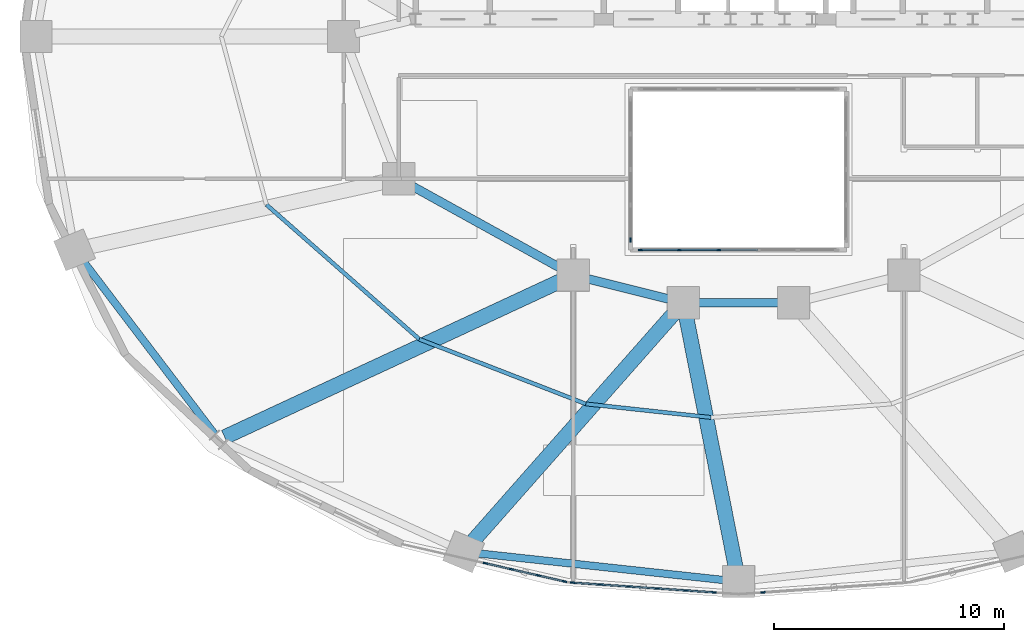
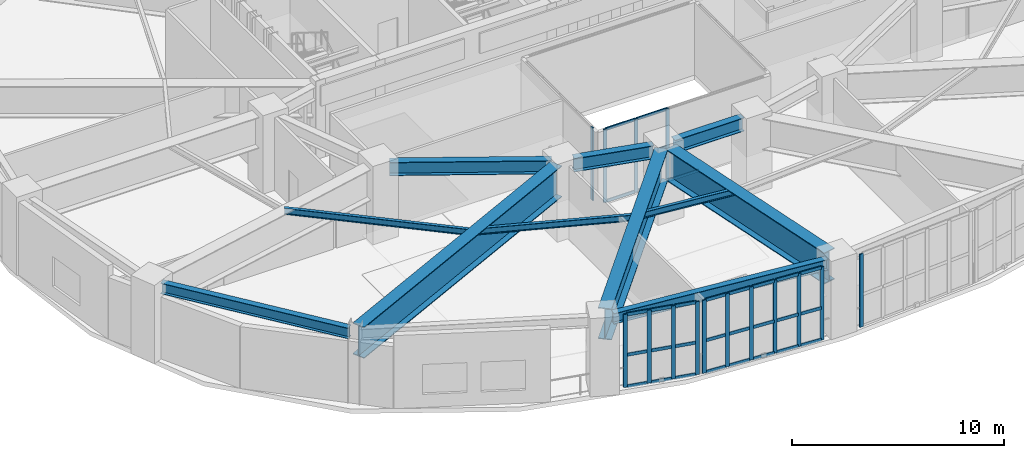
# One storey, part 3 of 13: 46 members, 11 beams, 5 elements without a shape of their own.
"""IFC4 building model written with IfcOpenShell, lengths in metres."""

from ifc_helpers import new_model, si_unit, direction, frame, origin, origin_2d, place, context, subcontext, project, spatial, rectangle, i_section, extrude, material, material_profile, profile_set, type_object, element, aggregate, save


model = new_model("IFC4")

# Units and contexts
model_context = context("Model", 3, precision=1e-05, world=origin(), true_north=direction((0.0, 1.0)))
body_context = subcontext(model_context, "Body", "Model", "MODEL_VIEW")
ifc_project = project(units=[si_unit("LENGTHUNIT", "METRE"), si_unit("AREAUNIT", "SQUARE_METRE"), si_unit("VOLUMEUNIT", "CUBIC_METRE"), si_unit("PLANEANGLEUNIT", "RADIAN"), si_unit("MASSUNIT", "GRAM", prefix="KILO")], contexts=[model_context])

# Site, building, storey
site_placement = place(None, origin())
site = spatial("IfcSite", under=ifc_project, at=site_placement, CompositionType="ELEMENT")
building_placement = place(site_placement, origin())
building = spatial("IfcBuilding", under=site, at=building_placement, Name="Haldorwick Loom Tower", CompositionType="ELEMENT")
storey_placement = place(building_placement, frame((0.0, 0.0, 72.300048828125)))
storey = spatial("IfcBuildingStorey", under=building, at=storey_placement, Name="L19", CompositionType="ELEMENT", Elevation=72.300048828125)

# Curtain wall, members
ifc_material_1 = material(Name="Thermally Broken Anodized Aluminium Curtain Wall Framing", Category="aluminium")
curtain_wall_type_1 = type_object("IfcCurtainWallType", Name="ARC-CW-03", PredefinedType="NOTDEFINED", material=ifc_material_1)
curtain_wall_1_placement = place(storey_placement, origin())
curtain_wall_1 = element("IfcCurtainWall", 1, at=curtain_wall_1_placement, inside=storey, type_object=curtain_wall_type_1, Name="L19 Atrium Glazed Screen S", PredefinedType="NOTDEFINED")
ifc_material_profile_1 = material_profile(ifc_material_1, rectangle(XDim=0.06591796875, YDim=0.18505859375, at=origin_2d()), Name="ALU_MUL_66X185", Category="aluminium")
ifc_profile_set_1 = profile_set([ifc_material_profile_1], Name="Thermally Broken Anodized Aluminium Curtain Wall Framing")
member_type_1 = type_object("IfcMemberType", Name="ARC-CWM-03", PredefinedType="MULLION", material=ifc_profile_set_1)
member_1_placement = place(storey_placement, frame((35.139892578125, 16.699951171875, 0.0), z_axis=(0.0, 0.0, 1.0), x_axis=(0.0, -1.0, 0.0)))
member_1 = element("IfcMember", 2, at=member_1_placement, type_object=member_type_1, Name="CW-03 mullion 4", PredefinedType="MULLION", context=body_context, shape_type="SweptSolid", body=[
    extrude(rectangle(XDim=0.06591796875, YDim=0.18505859375, at=origin_2d()), origin(), (0.0, 0.0, 1.0), 4.199951171875),
])
member_2_placement = place(storey_placement, frame((33.419921875, 16.699951171875, 0.0), z_axis=(0.0, 0.0, 1.0), x_axis=(0.0, -1.0, 0.0)))
member_2 = element("IfcMember", 3, at=member_2_placement, type_object=member_type_1, Name="CW-03 mullion 5", PredefinedType="MULLION", context=body_context, shape_type="SweptSolid", body=[
    extrude(rectangle(XDim=0.06591796875, YDim=0.18505859375, at=origin_2d()), origin(), (0.0, 0.0, 1.0), 4.199951171875),
])
member_3_placement = place(storey_placement, frame((31.73291015625, 16.699951171875, 0.0), z_axis=(0.0, 0.0, 1.0), x_axis=(0.0, -1.0, 0.0)))
member_3 = element("IfcMember", 4, at=member_3_placement, type_object=member_type_1, Name="CW-03 mullion 6", PredefinedType="MULLION", context=body_context, shape_type="SweptSolid", body=[
    extrude(rectangle(XDim=0.06591796875, YDim=0.18505859375, at=origin_2d()), origin(), (0.0, 0.0, 1.0), 4.199951171875),
])

# Curtain wall, member
curtain_wall_2_placement = place(storey_placement, origin())
curtain_wall_2 = element("IfcCurtainWall", 5, at=curtain_wall_2_placement, inside=storey, type_object=curtain_wall_type_1, Name="L19 Atrium Glazed Screen W", PredefinedType="NOTDEFINED")
member_4_placement = place(storey_placement, frame((31.300048828125, 17.133056640625, 0.0), z_axis=(0.0, 0.0, 1.0), x_axis=(-1.0, 0.0, 0.0)))
member_4 = element("IfcMember", 6, at=member_4_placement, type_object=member_type_1, Name="CW-03 mullion 1", PredefinedType="MULLION", context=body_context, shape_type="SweptSolid", body=[
    extrude(rectangle(XDim=0.06591796875, YDim=0.18505859375, at=origin_2d()), origin(), (0.0, 0.0, 1.0), 4.199951171875),
])
aggregate(curtain_wall_2, [member_4])

# Curtain wall, members
curtain_wall_type_2 = type_object("IfcCurtainWallType", Name="ARC-CW-05", PredefinedType="NOTDEFINED", material=ifc_material_1)
curtain_wall_3_placement = place(storey_placement, origin())
curtain_wall_3 = element("IfcCurtainWall", 7, at=curtain_wall_3_placement, inside=storey, type_object=curtain_wall_type_2, Name="L19 Facade Curtain Wall CW-05 Bay 17", PredefinedType="NOTDEFINED")
ifc_material_profile_2 = material_profile(ifc_material_1, rectangle(XDim=0.068115234375, YDim=0.201904296875, at=origin_2d()), Name="ALU_MUL_68X202", Category="aluminium")
ifc_profile_set_2 = profile_set([ifc_material_profile_2], Name="Thermally Broken Anodized Aluminium Curtain Wall Framing")
member_type_2 = type_object("IfcMemberType", Name="ARC-CWM-05", PredefinedType="MULLION", material=ifc_profile_set_2)
member_5_placement = place(storey_placement, frame((24.96875, 3.052734375, 0.0), z_axis=(0.0, 0.0, 1.0), x_axis=(0.224288756442, 0.974522731256, 0.0)))
member_5 = element("IfcMember", 8, at=member_5_placement, type_object=member_type_2, Name="CW-05 mullion 1", PredefinedType="MULLION", context=body_context, shape_type="SweptSolid", body=[
    extrude(rectangle(XDim=0.068115234375, YDim=0.201904296875, at=origin_2d()), origin(), (0.0, 0.0, 1.0), 4.199951171875),
])
member_6_placement = place(storey_placement, frame((26.107666015625, 2.79052734375, 0.0), z_axis=(0.0, 0.0, 1.0), x_axis=(0.224288756442, 0.974522731256, 0.0)))
member_6 = element("IfcMember", 9, at=member_6_placement, type_object=member_type_2, Name="CW-05 mullion 2", PredefinedType="MULLION", context=body_context, shape_type="SweptSolid", body=[
    extrude(rectangle(XDim=0.068115234375, YDim=0.201904296875, at=origin_2d()), origin(), (0.0, 0.0, 1.0), 4.199951171875),
])
member_7_placement = place(storey_placement, frame((27.280029296875, 2.520751953125, 0.0), z_axis=(0.0, 0.0, 1.0), x_axis=(0.224288756442, 0.974522731256, 0.0)))
member_7 = element("IfcMember", 10, at=member_7_placement, type_object=member_type_2, Name="CW-05 mullion 3", PredefinedType="MULLION", context=body_context, shape_type="SweptSolid", body=[
    extrude(rectangle(XDim=0.068115234375, YDim=0.201904296875, at=origin_2d()), origin(), (0.0, 0.0, 1.0), 4.199951171875),
])
member_8_placement = place(storey_placement, frame((28.419189453125, 2.258544921875, 0.0), z_axis=(0.0, 0.0, 1.0), x_axis=(0.224288756442, 0.974522731256, 0.0)))
member_8 = element("IfcMember", 11, at=member_8_placement, type_object=member_type_2, Name="CW-05 mullion 4", PredefinedType="MULLION", context=body_context, shape_type="SweptSolid", body=[
    extrude(rectangle(XDim=0.068115234375, YDim=0.201904296875, at=origin_2d()), origin(), (0.0, 0.0, 1.0), 4.199951171875),
])

curtain_wall_4_placement = place(storey_placement, origin())
curtain_wall_4 = element("IfcCurtainWall", 12, at=curtain_wall_4_placement, inside=storey, type_object=curtain_wall_type_2, Name="L19 Facade Curtain Wall CW-05 Bay 18", PredefinedType="NOTDEFINED")
member_9_placement = place(storey_placement, frame((28.76220703125, 2.20751953125, 0.0), z_axis=(0.0, 0.0, 1.0), x_axis=(0.068589093134, 0.997644995128, 0.0)))
member_9 = element("IfcMember", 13, at=member_9_placement, type_object=member_type_2, Name="CW-05 mullion 1", PredefinedType="MULLION", context=body_context, shape_type="SweptSolid", body=[
    extrude(rectangle(XDim=0.068115234375, YDim=0.201904296875, at=origin_2d()), origin(), (0.0, 0.0, 1.0), 4.199951171875),
])
member_10_placement = place(storey_placement, frame((29.975830078125, 2.1240234375, 0.0), z_axis=(0.0, 0.0, 1.0), x_axis=(0.068589093134, 0.997644995128, 0.0)))
member_10 = element("IfcMember", 14, at=member_10_placement, type_object=member_type_2, Name="CW-05 mullion 2", PredefinedType="MULLION", context=body_context, shape_type="SweptSolid", body=[
    extrude(rectangle(XDim=0.068115234375, YDim=0.201904296875, at=origin_2d()), origin(), (0.0, 0.0, 1.0), 4.199951171875),
])
member_11_placement = place(storey_placement, frame((31.22314453125, 2.038330078125, 0.0), z_axis=(0.0, 0.0, 1.0), x_axis=(0.068589093134, 0.997644995128, 0.0)))
member_11 = element("IfcMember", 15, at=member_11_placement, type_object=member_type_2, Name="CW-05 mullion 3", PredefinedType="MULLION", context=body_context, shape_type="SweptSolid", body=[
    extrude(rectangle(XDim=0.068115234375, YDim=0.201904296875, at=origin_2d()), origin(), (0.0, 0.0, 1.0), 4.199951171875),
])
member_12_placement = place(storey_placement, frame((32.470703125, 1.95263671875, 0.0), z_axis=(0.0, 0.0, 1.0), x_axis=(0.068589093134, 0.997644995128, 0.0)))
member_12 = element("IfcMember", 16, at=member_12_placement, type_object=member_type_2, Name="CW-05 mullion 4", PredefinedType="MULLION", context=body_context, shape_type="SweptSolid", body=[
    extrude(rectangle(XDim=0.068115234375, YDim=0.201904296875, at=origin_2d()), origin(), (0.0, 0.0, 1.0), 4.199951171875),
])
member_13_placement = place(storey_placement, frame((33.718017578125, 1.866943359375, 0.0), z_axis=(0.0, 0.0, 1.0), x_axis=(0.068589093134, 0.997644995128, 0.0)))
member_13 = element("IfcMember", 17, at=member_13_placement, type_object=member_type_2, Name="CW-05 mullion 5", PredefinedType="MULLION", context=body_context, shape_type="SweptSolid", body=[
    extrude(rectangle(XDim=0.068115234375, YDim=0.201904296875, at=origin_2d()), origin(), (0.0, 0.0, 1.0), 4.199951171875),
])
member_14_placement = place(storey_placement, frame((34.931396484375, 1.783447265625, 0.0), z_axis=(0.0, 0.0, 1.0), x_axis=(0.068589093134, 0.997644995128, 0.0)))
member_14 = element("IfcMember", 18, at=member_14_placement, type_object=member_type_2, Name="CW-05 mullion 6", PredefinedType="MULLION", context=body_context, shape_type="SweptSolid", body=[
    extrude(rectangle(XDim=0.068115234375, YDim=0.201904296875, at=origin_2d()), origin(), (0.0, 0.0, 1.0), 4.199951171875),
])

# Curtain wall, member
curtain_wall_5_placement = place(storey_placement, origin())
curtain_wall_5 = element("IfcCurtainWall", 19, at=curtain_wall_5_placement, inside=storey, type_object=curtain_wall_type_2, Name="L19 Facade Curtain Wall CW-05 Bay 19", PredefinedType="NOTDEFINED")
member_15_placement = place(storey_placement, frame((37.068603515625, 1.783447265625, 0.0), z_axis=(0.0, 0.0, 1.0), x_axis=(-0.068589093134, 0.997644995128, 0.0)))
member_15 = element("IfcMember", 20, at=member_15_placement, type_object=member_type_2, Name="CW-05 mullion 1", PredefinedType="MULLION", context=body_context, shape_type="SweptSolid", body=[
    extrude(rectangle(XDim=0.068115234375, YDim=0.201904296875, at=origin_2d()), origin(), (0.0, 0.0, 1.0), 4.199951171875),
])
aggregate(curtain_wall_5, [member_15])

# Member
ifc_material_profile_3 = material_profile(ifc_material_1, rectangle(XDim=0.06591796875, YDim=0.1650390625, at=origin_2d()), Name="ALU_TRN_66X165", Category="aluminium")
ifc_profile_set_3 = profile_set([ifc_material_profile_3], Name="Thermally Broken Anodized Aluminium Curtain Wall Framing")
member_type_3 = type_object("IfcMemberType", Name="ARC-CWT-03", PredefinedType="USERDEFINED", material=ifc_profile_set_3)
member_16_placement = place(storey_placement, frame((36.826904296875, 16.699951171875, 0.032958984375), z_axis=(-1.0, 0.0, 0.0), x_axis=(0.0, -1.0, 0.0)))
member_16 = element("IfcMember", 21, at=member_16_placement, type_object=member_type_3, Name="CW-03 transom 3.1", ObjectType="TRANSOM", PredefinedType="USERDEFINED", context=body_context, shape_type="SweptSolid", body=[
    extrude(rectangle(XDim=0.06591796875, YDim=0.1650390625, at=origin_2d()), origin(), (0.0, 0.0, 1.0), 1.65380859375),
])

member_17_placement = place(storey_placement, frame((35.10693359375, 16.699951171875, 0.032958984375), z_axis=(-1.0, 0.0, 0.0), x_axis=(0.0, -1.0, 0.0)))
member_17 = element("IfcMember", 22, at=member_17_placement, type_object=member_type_3, Name="CW-03 transom 4.1", ObjectType="TRANSOM", PredefinedType="USERDEFINED", context=body_context, shape_type="SweptSolid", body=[
    extrude(rectangle(XDim=0.06591796875, YDim=0.1650390625, at=origin_2d()), origin(), (0.0, 0.0, 1.0), 1.654052734375),
])

member_18_placement = place(storey_placement, frame((35.10693359375, 16.699951171875, 2.0), z_axis=(-1.0, 0.0, 0.0), x_axis=(0.0, -1.0, 0.0)))
member_18 = element("IfcMember", 23, at=member_18_placement, type_object=member_type_3, Name="CW-03 transom 4.2", ObjectType="TRANSOM", PredefinedType="USERDEFINED", context=body_context, shape_type="SweptSolid", body=[
    extrude(rectangle(XDim=0.06591796875, YDim=0.1650390625, at=origin_2d()), origin(), (0.0, 0.0, 1.0), 1.654052734375),
])

member_19_placement = place(storey_placement, frame((35.10693359375, 16.699951171875, 4.1669921875), z_axis=(-1.0, 0.0, 0.0), x_axis=(0.0, -1.0, 0.0)))
member_19 = element("IfcMember", 24, at=member_19_placement, type_object=member_type_3, Name="CW-03 transom 4.3", ObjectType="TRANSOM", PredefinedType="USERDEFINED", context=body_context, shape_type="SweptSolid", body=[
    extrude(rectangle(XDim=0.06591796875, YDim=0.1650390625, at=origin_2d()), origin(), (0.0, 0.0, 1.0), 1.654052734375),
])

member_20_placement = place(storey_placement, frame((33.386962890625, 16.699951171875, 0.032958984375), z_axis=(-1.0, 0.0, 0.0), x_axis=(0.0, -1.0, 0.0)))
member_20 = element("IfcMember", 25, at=member_20_placement, type_object=member_type_3, Name="CW-03 transom 5.1", ObjectType="TRANSOM", PredefinedType="USERDEFINED", context=body_context, shape_type="SweptSolid", body=[
    extrude(rectangle(XDim=0.06591796875, YDim=0.1650390625, at=origin_2d()), origin(), (0.0, 0.0, 1.0), 1.620849609375),
])

member_21_placement = place(storey_placement, frame((33.386962890625, 16.699951171875, 2.0), z_axis=(-1.0, 0.0, 0.0), x_axis=(0.0, -1.0, 0.0)))
member_21 = element("IfcMember", 26, at=member_21_placement, type_object=member_type_3, Name="CW-03 transom 5.2", ObjectType="TRANSOM", PredefinedType="USERDEFINED", context=body_context, shape_type="SweptSolid", body=[
    extrude(rectangle(XDim=0.06591796875, YDim=0.1650390625, at=origin_2d()), origin(), (0.0, 0.0, 1.0), 1.620849609375),
])

member_22_placement = place(storey_placement, frame((33.386962890625, 16.699951171875, 4.1669921875), z_axis=(-1.0, 0.0, 0.0), x_axis=(0.0, -1.0, 0.0)))
member_22 = element("IfcMember", 27, at=member_22_placement, type_object=member_type_3, Name="CW-03 transom 5.3", ObjectType="TRANSOM", PredefinedType="USERDEFINED", context=body_context, shape_type="SweptSolid", body=[
    extrude(rectangle(XDim=0.06591796875, YDim=0.1650390625, at=origin_2d()), origin(), (0.0, 0.0, 1.0), 1.620849609375),
])

aggregate(curtain_wall_1, [member_1, member_2, member_3, member_16, member_17, member_18, member_19, member_20, member_21, member_22])

ifc_material_profile_4 = material_profile(ifc_material_1, rectangle(XDim=0.068115234375, YDim=0.181884765625, at=origin_2d()), Name="ALU_TRN_68X182", Category="aluminium")
ifc_profile_set_4 = profile_set([ifc_material_profile_4], Name="Thermally Broken Anodized Aluminium Curtain Wall Framing")
member_type_4 = type_object("IfcMemberType", Name="ARC-CWT-05", PredefinedType="USERDEFINED", material=ifc_profile_set_4)
member_23_placement = place(storey_placement, frame((25.001708984375, 3.045166015625, 0.033935546875), z_axis=(0.974499455745, -0.224389863302, 0.0), x_axis=(0.224389863302, 0.974499455745, 0.0)))
member_23 = element("IfcMember", 28, at=member_23_placement, type_object=member_type_4, Name="CW-05 transom 1.1", ObjectType="TRANSOM", PredefinedType="USERDEFINED", context=body_context, shape_type="SweptSolid", body=[
    extrude(rectangle(XDim=0.068115234375, YDim=0.181884765625, at=origin_2d()), origin(), (0.0, 0.0, 1.0), 1.10107421875),
])

member_24_placement = place(storey_placement, frame((25.001708984375, 3.045166015625, 1.849853515625), z_axis=(0.974499455745, -0.224389863302, 0.0), x_axis=(0.224389863302, 0.974499455745, 0.0)))
member_24 = element("IfcMember", 29, at=member_24_placement, type_object=member_type_4, Name="CW-05 transom 1.2", ObjectType="TRANSOM", PredefinedType="USERDEFINED", context=body_context, shape_type="SweptSolid", body=[
    extrude(rectangle(XDim=0.068115234375, YDim=0.181884765625, at=origin_2d()), origin(), (0.0, 0.0, 1.0), 1.10107421875),
])

member_25_placement = place(storey_placement, frame((25.001708984375, 3.045166015625, 4.166015625), z_axis=(0.974499455745, -0.224389863302, 0.0), x_axis=(0.224389863302, 0.974499455745, 0.0)))
member_25 = element("IfcMember", 30, at=member_25_placement, type_object=member_type_4, Name="CW-05 transom 1.3", ObjectType="TRANSOM", PredefinedType="USERDEFINED", context=body_context, shape_type="SweptSolid", body=[
    extrude(rectangle(XDim=0.068115234375, YDim=0.181884765625, at=origin_2d()), origin(), (0.0, 0.0, 1.0), 1.10107421875),
])

member_26_placement = place(storey_placement, frame((26.140869140625, 2.782958984375, 0.033935546875), z_axis=(0.974503469266, -0.224372432328, 0.0), x_axis=(0.224372432328, 0.974503469266, 0.0)))
member_26 = element("IfcMember", 31, at=member_26_placement, type_object=member_type_4, Name="CW-05 transom 2.1", ObjectType="TRANSOM", PredefinedType="USERDEFINED", context=body_context, shape_type="SweptSolid", body=[
    extrude(rectangle(XDim=0.068115234375, YDim=0.181884765625, at=origin_2d()), origin(), (0.0, 0.0, 1.0), 1.135009765625),
])

member_27_placement = place(storey_placement, frame((26.140869140625, 2.782958984375, 1.849853515625), z_axis=(0.974503469266, -0.224372432328, 0.0), x_axis=(0.224372432328, 0.974503469266, 0.0)))
member_27 = element("IfcMember", 32, at=member_27_placement, type_object=member_type_4, Name="CW-05 transom 2.2", ObjectType="TRANSOM", PredefinedType="USERDEFINED", context=body_context, shape_type="SweptSolid", body=[
    extrude(rectangle(XDim=0.068115234375, YDim=0.181884765625, at=origin_2d()), origin(), (0.0, 0.0, 1.0), 1.135009765625),
])

member_28_placement = place(storey_placement, frame((26.140869140625, 2.782958984375, 4.166015625), z_axis=(0.974503469266, -0.224372432328, 0.0), x_axis=(0.224372432328, 0.974503469266, 0.0)))
member_28 = element("IfcMember", 33, at=member_28_placement, type_object=member_type_4, Name="CW-05 transom 2.3", ObjectType="TRANSOM", PredefinedType="USERDEFINED", context=body_context, shape_type="SweptSolid", body=[
    extrude(rectangle(XDim=0.068115234375, YDim=0.181884765625, at=origin_2d()), origin(), (0.0, 0.0, 1.0), 1.135009765625),
])

member_29_placement = place(storey_placement, frame((27.313232421875, 2.51318359375, 0.033935546875), z_axis=(0.974488287885, -0.224438358521, 0.0), x_axis=(0.224438358521, 0.974488287885, 0.0)))
member_29 = element("IfcMember", 34, at=member_29_placement, type_object=member_type_4, Name="CW-05 transom 3.1", ObjectType="TRANSOM", PredefinedType="USERDEFINED", context=body_context, shape_type="SweptSolid", body=[
    extrude(rectangle(XDim=0.068115234375, YDim=0.181884765625, at=origin_2d()), origin(), (0.0, 0.0, 1.0), 1.100830078125),
])

member_30_placement = place(storey_placement, frame((27.313232421875, 2.51318359375, 1.849853515625), z_axis=(0.974488287885, -0.224438358521, 0.0), x_axis=(0.224438358521, 0.974488287885, 0.0)))
member_30 = element("IfcMember", 35, at=member_30_placement, type_object=member_type_4, Name="CW-05 transom 3.2", ObjectType="TRANSOM", PredefinedType="USERDEFINED", context=body_context, shape_type="SweptSolid", body=[
    extrude(rectangle(XDim=0.068115234375, YDim=0.181884765625, at=origin_2d()), origin(), (0.0, 0.0, 1.0), 1.100830078125),
])

member_31_placement = place(storey_placement, frame((27.313232421875, 2.51318359375, 4.166015625), z_axis=(0.974488287885, -0.224438358521, 0.0), x_axis=(0.224438358521, 0.974488287885, 0.0)))
member_31 = element("IfcMember", 36, at=member_31_placement, type_object=member_type_4, Name="CW-05 transom 3.3", ObjectType="TRANSOM", PredefinedType="USERDEFINED", context=body_context, shape_type="SweptSolid", body=[
    extrude(rectangle(XDim=0.068115234375, YDim=0.181884765625, at=origin_2d()), origin(), (0.0, 0.0, 1.0), 1.100830078125),
])

aggregate(curtain_wall_3, [member_5, member_6, member_7, member_8, member_23, member_24, member_25, member_26, member_27, member_28, member_29, member_30, member_31])

member_32_placement = place(storey_placement, frame((28.796142578125, 2.205322265625, 0.033935546875), z_axis=(0.997639878622, -0.068663473427, 0.0), x_axis=(0.068663473427, 0.997639878622, 0.0)))
member_32 = element("IfcMember", 37, at=member_32_placement, type_object=member_type_4, Name="CW-05 transom 1.1", ObjectType="TRANSOM", PredefinedType="USERDEFINED", context=body_context, shape_type="SweptSolid", body=[
    extrude(rectangle(XDim=0.068115234375, YDim=0.181884765625, at=origin_2d()), origin(), (0.0, 0.0, 1.0), 1.1484375),
])

member_33_placement = place(storey_placement, frame((28.796142578125, 2.205322265625, 1.849853515625), z_axis=(0.997639878622, -0.068663473427, 0.0), x_axis=(0.068663473427, 0.997639878622, 0.0)))
member_33 = element("IfcMember", 38, at=member_33_placement, type_object=member_type_4, Name="CW-05 transom 1.2", ObjectType="TRANSOM", PredefinedType="USERDEFINED", context=body_context, shape_type="SweptSolid", body=[
    extrude(rectangle(XDim=0.068115234375, YDim=0.181884765625, at=origin_2d()), origin(), (0.0, 0.0, 1.0), 1.1484375),
])

member_34_placement = place(storey_placement, frame((28.796142578125, 2.205322265625, 4.166015625), z_axis=(0.997639878622, -0.068663473427, 0.0), x_axis=(0.068663473427, 0.997639878622, 0.0)))
member_34 = element("IfcMember", 39, at=member_34_placement, type_object=member_type_4, Name="CW-05 transom 1.3", ObjectType="TRANSOM", PredefinedType="USERDEFINED", context=body_context, shape_type="SweptSolid", body=[
    extrude(rectangle(XDim=0.068115234375, YDim=0.181884765625, at=origin_2d()), origin(), (0.0, 0.0, 1.0), 1.1484375),
])

member_35_placement = place(storey_placement, frame((30.009765625, 2.121826171875, 0.033935546875), z_axis=(0.997646917829, -0.068561121242, 0.0), x_axis=(0.068561121242, 0.997646917829, 0.0)))
member_35 = element("IfcMember", 40, at=member_35_placement, type_object=member_type_4, Name="CW-05 transom 2.1", ObjectType="TRANSOM", PredefinedType="USERDEFINED", context=body_context, shape_type="SweptSolid", body=[
    extrude(rectangle(XDim=0.068115234375, YDim=0.181884765625, at=origin_2d()), origin(), (0.0, 0.0, 1.0), 1.18212890625),
])

member_36_placement = place(storey_placement, frame((30.009765625, 2.121826171875, 1.849853515625), z_axis=(0.997646917829, -0.068561121242, 0.0), x_axis=(0.068561121242, 0.997646917829, 0.0)))
member_36 = element("IfcMember", 41, at=member_36_placement, type_object=member_type_4, Name="CW-05 transom 2.2", ObjectType="TRANSOM", PredefinedType="USERDEFINED", context=body_context, shape_type="SweptSolid", body=[
    extrude(rectangle(XDim=0.068115234375, YDim=0.181884765625, at=origin_2d()), origin(), (0.0, 0.0, 1.0), 1.18212890625),
])

member_37_placement = place(storey_placement, frame((30.009765625, 2.121826171875, 4.166015625), z_axis=(0.997646917829, -0.068561121242, 0.0), x_axis=(0.068561121242, 0.997646917829, 0.0)))
member_37 = element("IfcMember", 42, at=member_37_placement, type_object=member_type_4, Name="CW-05 transom 2.3", ObjectType="TRANSOM", PredefinedType="USERDEFINED", context=body_context, shape_type="SweptSolid", body=[
    extrude(rectangle(XDim=0.068115234375, YDim=0.181884765625, at=origin_2d()), origin(), (0.0, 0.0, 1.0), 1.18212890625),
])

member_38_placement = place(storey_placement, frame((31.257080078125, 2.0361328125, 0.033935546875), z_axis=(0.997633747894, -0.068752491318, 0.0), x_axis=(0.068752491318, 0.997633747894, 0.0)))
member_38 = element("IfcMember", 43, at=member_38_placement, type_object=member_type_4, Name="CW-05 transom 3.1", ObjectType="TRANSOM", PredefinedType="USERDEFINED", context=body_context, shape_type="SweptSolid", body=[
    extrude(rectangle(XDim=0.068115234375, YDim=0.181884765625, at=origin_2d()), origin(), (0.0, 0.0, 1.0), 1.182373046875),
])

member_39_placement = place(storey_placement, frame((31.257080078125, 2.0361328125, 1.849853515625), z_axis=(0.997633747894, -0.068752491318, 0.0), x_axis=(0.068752491318, 0.997633747894, 0.0)))
member_39 = element("IfcMember", 44, at=member_39_placement, type_object=member_type_4, Name="CW-05 transom 3.2", ObjectType="TRANSOM", PredefinedType="USERDEFINED", context=body_context, shape_type="SweptSolid", body=[
    extrude(rectangle(XDim=0.068115234375, YDim=0.181884765625, at=origin_2d()), origin(), (0.0, 0.0, 1.0), 1.182373046875),
])

member_40_placement = place(storey_placement, frame((31.257080078125, 2.0361328125, 4.166015625), z_axis=(0.997633747894, -0.068752491318, 0.0), x_axis=(0.068752491318, 0.997633747894, 0.0)))
member_40 = element("IfcMember", 45, at=member_40_placement, type_object=member_type_4, Name="CW-05 transom 3.3", ObjectType="TRANSOM", PredefinedType="USERDEFINED", context=body_context, shape_type="SweptSolid", body=[
    extrude(rectangle(XDim=0.068115234375, YDim=0.181884765625, at=origin_2d()), origin(), (0.0, 0.0, 1.0), 1.182373046875),
])

member_41_placement = place(storey_placement, frame((32.504638671875, 1.9501953125, 0.033935546875), z_axis=(0.997646917829, -0.068561121242, 0.0), x_axis=(0.068561121242, 0.997646917829, 0.0)))
member_41 = element("IfcMember", 46, at=member_41_placement, type_object=member_type_4, Name="CW-05 transom 4.1", ObjectType="TRANSOM", PredefinedType="USERDEFINED", context=body_context, shape_type="SweptSolid", body=[
    extrude(rectangle(XDim=0.068115234375, YDim=0.181884765625, at=origin_2d()), origin(), (0.0, 0.0, 1.0), 1.18212890625),
])

member_42_placement = place(storey_placement, frame((32.504638671875, 1.9501953125, 1.849853515625), z_axis=(0.997646917829, -0.068561121242, 0.0), x_axis=(0.068561121242, 0.997646917829, 0.0)))
member_42 = element("IfcMember", 47, at=member_42_placement, type_object=member_type_4, Name="CW-05 transom 4.2", ObjectType="TRANSOM", PredefinedType="USERDEFINED", context=body_context, shape_type="SweptSolid", body=[
    extrude(rectangle(XDim=0.068115234375, YDim=0.181884765625, at=origin_2d()), origin(), (0.0, 0.0, 1.0), 1.18212890625),
])

member_43_placement = place(storey_placement, frame((32.504638671875, 1.9501953125, 4.166015625), z_axis=(0.997646917829, -0.068561121242, 0.0), x_axis=(0.068561121242, 0.997646917829, 0.0)))
member_43 = element("IfcMember", 48, at=member_43_placement, type_object=member_type_4, Name="CW-05 transom 4.3", ObjectType="TRANSOM", PredefinedType="USERDEFINED", context=body_context, shape_type="SweptSolid", body=[
    extrude(rectangle(XDim=0.068115234375, YDim=0.181884765625, at=origin_2d()), origin(), (0.0, 0.0, 1.0), 1.18212890625),
])

member_44_placement = place(storey_placement, frame((33.751953125, 1.864501953125, 0.033935546875), z_axis=(0.997638876056, -0.068678038569, 0.0), x_axis=(0.068678038569, 0.997638876056, 0.0)))
member_44 = element("IfcMember", 49, at=member_44_placement, type_object=member_type_4, Name="CW-05 transom 5.1", ObjectType="TRANSOM", PredefinedType="USERDEFINED", context=body_context, shape_type="SweptSolid", body=[
    extrude(rectangle(XDim=0.068115234375, YDim=0.181884765625, at=origin_2d()), origin(), (0.0, 0.0, 1.0), 1.148193359375),
])

member_45_placement = place(storey_placement, frame((33.751953125, 1.864501953125, 1.849853515625), z_axis=(0.997638876056, -0.068678038569, 0.0), x_axis=(0.068678038569, 0.997638876056, 0.0)))
member_45 = element("IfcMember", 50, at=member_45_placement, type_object=member_type_4, Name="CW-05 transom 5.2", ObjectType="TRANSOM", PredefinedType="USERDEFINED", context=body_context, shape_type="SweptSolid", body=[
    extrude(rectangle(XDim=0.068115234375, YDim=0.181884765625, at=origin_2d()), origin(), (0.0, 0.0, 1.0), 1.148193359375),
])

member_46_placement = place(storey_placement, frame((33.751953125, 1.864501953125, 4.166015625), z_axis=(0.997638876056, -0.068678038569, 0.0), x_axis=(0.068678038569, 0.997638876056, 0.0)))
member_46 = element("IfcMember", 51, at=member_46_placement, type_object=member_type_4, Name="CW-05 transom 5.3", ObjectType="TRANSOM", PredefinedType="USERDEFINED", context=body_context, shape_type="SweptSolid", body=[
    extrude(rectangle(XDim=0.068115234375, YDim=0.181884765625, at=origin_2d()), origin(), (0.0, 0.0, 1.0), 1.148193359375),
])

aggregate(curtain_wall_4, [member_9, member_10, member_11, member_12, member_13, member_14, member_32, member_33, member_34, member_35, member_36, member_37, member_38, member_39, member_40, member_41, member_42, member_43, member_44, member_45, member_46])

# Beams
ifc_material_2 = material(Name="Steel CSA G40.21 350W", Category="steel")
ifc_material_profile_5 = material_profile(ifc_material_2, i_section(OverallWidth=0.172119140625, OverallDepth=0.35791015625, WebThickness=0.0078125, FlangeThickness=0.01318359375, at=origin_2d()), Name="W360X57", Category="steel")
ifc_profile_set_5 = profile_set([ifc_material_profile_5], Name="Steel CSA G40.21 350W")
beam_type_1 = type_object("IfcBeamType", Name="STR-BM-J360", PredefinedType="JOIST", material=ifc_profile_set_5)
beam_1_placement = place(storey_placement, frame((15.434814453125, 18.67138671875, 4.02099609375), z_axis=(0.750721157729, -0.660619212057, 0.0), x_axis=(0.660619212057, 0.750721157729, 0.0)))
element("IfcBeam", 52, at=beam_1_placement, inside=storey, type_object=beam_type_1, Name="L19 Mid-Bay Secondary Joist 10", PredefinedType="JOIST", context=body_context, shape_type="SweptSolid", body=[
    extrude(i_section(OverallWidth=0.172119140625, OverallDepth=0.35791015625, WebThickness=0.0078125, FlangeThickness=0.01318359375, at=origin_2d()), origin(), (0.0, 0.0, 1.0), 8.8740234375),
])
beam_2_placement = place(storey_placement, frame((22.0966796875, 12.80908203125, 4.02099609375), z_axis=(0.932072983051, -0.362270553959, 0.0), x_axis=(0.362270553959, 0.932072983051, 0.0)))
element("IfcBeam", 53, at=beam_2_placement, inside=storey, type_object=beam_type_1, Name="L19 Mid-Bay Secondary Joist 11", PredefinedType="JOIST", context=body_context, shape_type="SweptSolid", body=[
    extrude(i_section(OverallWidth=0.172119140625, OverallDepth=0.35791015625, WebThickness=0.0078125, FlangeThickness=0.01318359375, at=origin_2d()), origin(), (0.0, 0.0, 1.0), 7.7783203125),
])
beam_3_placement = place(storey_placement, frame((29.3466796875, 9.9912109375, 4.02099609375), z_axis=(0.994191869342, -0.107622148904, 0.0), x_axis=(0.107622148904, 0.994191869342, 0.0)))
element("IfcBeam", 54, at=beam_3_placement, inside=storey, type_object=beam_type_1, Name="L19 Mid-Bay Secondary Joist 12", PredefinedType="JOIST", context=body_context, shape_type="SweptSolid", body=[
    extrude(i_section(OverallWidth=0.172119140625, OverallDepth=0.35791015625, WebThickness=0.0078125, FlangeThickness=0.01318359375, at=origin_2d()), origin(), (0.0, 0.0, 1.0), 5.485107421875),
])
ifc_material_profile_6 = material_profile(ifc_material_2, i_section(OverallWidth=0.324951171875, OverallDepth=0.615966796875, WebThickness=0.013916015625, FlangeThickness=0.021484375, at=origin_2d()), Name="W610X174", Category="steel")
ifc_profile_set_6 = profile_set([ifc_material_profile_6], Name="Steel CSA G40.21 350W")
beam_type_2 = type_object("IfcBeamType", Name="STR-BM-SP610", PredefinedType="SPANDREL", material=ifc_profile_set_6)
beam_4_placement = place(storey_placement, frame((7.397216796875, 16.286865234375, 3.891845703125), z_axis=(0.605084557744, -0.796161213562, 0.0), x_axis=(0.796161213562, 0.605084557744, 0.0)))
element("IfcBeam", 55, at=beam_4_placement, inside=storey, type_object=beam_type_2, Name="L19 Perimeter Spandrel 10", PredefinedType="SPANDREL", context=body_context, shape_type="SweptSolid", body=[
    extrude(i_section(OverallWidth=0.324951171875, OverallDepth=0.615966796875, WebThickness=0.013916015625, FlangeThickness=0.021484375, at=origin_2d()), origin(), (0.0, 0.0, 1.0), 9.595703125),
])
beam_5_placement = place(storey_placement, frame((24.5390625, 3.49365234375, 3.891845703125), z_axis=(0.994164438636, -0.107875247167, 0.0), x_axis=(0.107875247167, 0.994164438636, 0.0)))
element("IfcBeam", 56, at=beam_5_placement, inside=storey, type_object=beam_type_2, Name="L19 Perimeter Spandrel 12", PredefinedType="SPANDREL", context=body_context, shape_type="SweptSolid", body=[
    extrude(i_section(OverallWidth=0.324951171875, OverallDepth=0.615966796875, WebThickness=0.013916015625, FlangeThickness=0.021484375, at=origin_2d()), origin(), (0.0, 0.0, 1.0), 11.008056640625),
])
ifc_material_3 = material(Name="Steel CSA G40.21 350WT", Category="steel")
ifc_material_profile_7 = material_profile(ifc_material_3, i_section(OverallWidth=0.64990234375, OverallDepth=1.800048828125, WebThickness=0.02587890625, FlangeThickness=0.048095703125, at=origin_2d()), Name="WWF1800X650", Category="steel")
ifc_profile_set_7 = profile_set([ifc_material_profile_7], Name="Steel CSA G40.21 350WT")
beam_type_3 = type_object("IfcBeamType", Name="STR-BM-TG1800", PredefinedType="BEAM", material=ifc_profile_set_7)
beam_6_placement = place(storey_placement, frame((28.328369140625, 15.380859375, 3.300048828125), z_axis=(-0.90683498532, -0.421485835349, 0.0), x_axis=(0.421485835349, -0.90683498532, 0.0)))
element("IfcBeam", 57, at=beam_6_placement, inside=storey, type_object=beam_type_3, Name="L19 Setback Inner Transfer Girder 11", PredefinedType="BEAM", context=body_context, shape_type="SweptSolid", body=[
    extrude(i_section(OverallWidth=0.64990234375, OverallDepth=1.800048828125, WebThickness=0.02587890625, FlangeThickness=0.048095703125, at=origin_2d()), origin(), (0.0, 0.0, 1.0), 16.220458984375),
])
beam_7_placement = place(storey_placement, frame((33.255859375, 14.01025390625, 3.300048828125), z_axis=(-0.661774304332, -0.749703121326, 0.0), x_axis=(0.749703121326, -0.661774304332, 0.0)))
element("IfcBeam", 58, at=beam_7_placement, inside=storey, type_object=beam_type_3, Name="L19 Setback Inner Transfer Girder 12", PredefinedType="BEAM", context=body_context, shape_type="SweptSolid", body=[
    extrude(i_section(OverallWidth=0.64990234375, OverallDepth=1.800048828125, WebThickness=0.02587890625, FlangeThickness=0.048095703125, at=origin_2d()), origin(), (0.0, 0.0, 1.0), 13.43310546875),
])
beam_8_placement = place(storey_placement, frame((33.70068359375, 13.889892578125, 3.300048828125), z_axis=(0.193785651115, -0.981043893729, 0.0), x_axis=(0.981043893729, 0.193785651115, 0.0)))
element("IfcBeam", 59, at=beam_8_placement, inside=storey, type_object=beam_type_3, Name="L19 Setback Inner Transfer Girder 13", PredefinedType="BEAM", context=body_context, shape_type="SweptSolid", body=[
    extrude(i_section(OverallWidth=0.64990234375, OverallDepth=1.800048828125, WebThickness=0.02587890625, FlangeThickness=0.048095703125, at=origin_2d()), origin(), (0.0, 0.0, 1.0), 11.344970703125),
])
ifc_material_profile_8 = material_profile(ifc_material_2, i_section(OverallWidth=0.381103515625, OverallDepth=0.77294921875, WebThickness=0.0166015625, FlangeThickness=0.027587890625, at=origin_2d()), Name="W760X257", Category="steel")
ifc_profile_set_8 = profile_set([ifc_material_profile_8], Name="Steel CSA G40.21 350W")
beam_type_4 = type_object("IfcBeamType", Name="STR-BM-W760", PredefinedType="BEAM", material=ifc_profile_set_8)
beam_9_placement = place(storey_placement, frame((37.8798828125, 14.39990234375, 3.8134765625), z_axis=(-1.0, 0.0, 0.0), x_axis=(0.0, -1.0, 0.0)))
element("IfcBeam", 60, at=beam_9_placement, inside=storey, type_object=beam_type_4, Name="L19 Inner Ring Girder 5", PredefinedType="BEAM", context=body_context, shape_type="SweptSolid", body=[
    extrude(i_section(OverallWidth=0.381103515625, OverallDepth=0.77294921875, WebThickness=0.0166015625, FlangeThickness=0.027587890625, at=origin_2d()), origin(), (0.0, 0.0, 1.0), 3.759765625),
])
beam_10_placement = place(storey_placement, frame((33.095458984375, 14.526123046875, 3.8134765625), z_axis=(-0.970142500145, 0.242535625036, 0.0), x_axis=(-0.242535625036, -0.970142500145, 0.0)))
element("IfcBeam", 61, at=beam_10_placement, inside=storey, type_object=beam_type_4, Name="L19 Inner Ring Girder 6", PredefinedType="BEAM", context=body_context, shape_type="SweptSolid", body=[
    extrude(i_section(OverallWidth=0.381103515625, OverallDepth=0.77294921875, WebThickness=0.0166015625, FlangeThickness=0.027587890625, at=origin_2d()), origin(), (0.0, 0.0, 1.0), 3.90771484375),
])
beam_11_placement = place(storey_placement, frame((28.344970703125, 15.8515625, 3.8134765625), z_axis=(-0.875244382146, 0.483680960471, 0.0), x_axis=(-0.483680960471, -0.875244382146, 0.0)))
element("IfcBeam", 62, at=beam_11_placement, inside=storey, type_object=beam_type_4, Name="L19 Inner Ring Girder 7", PredefinedType="BEAM", context=body_context, shape_type="SweptSolid", body=[
    extrude(i_section(OverallWidth=0.381103515625, OverallDepth=0.77294921875, WebThickness=0.0166015625, FlangeThickness=0.027587890625, at=origin_2d()), origin(), (0.0, 0.0, 1.0), 7.6435546875),
])

save(model, "model.ifc")
